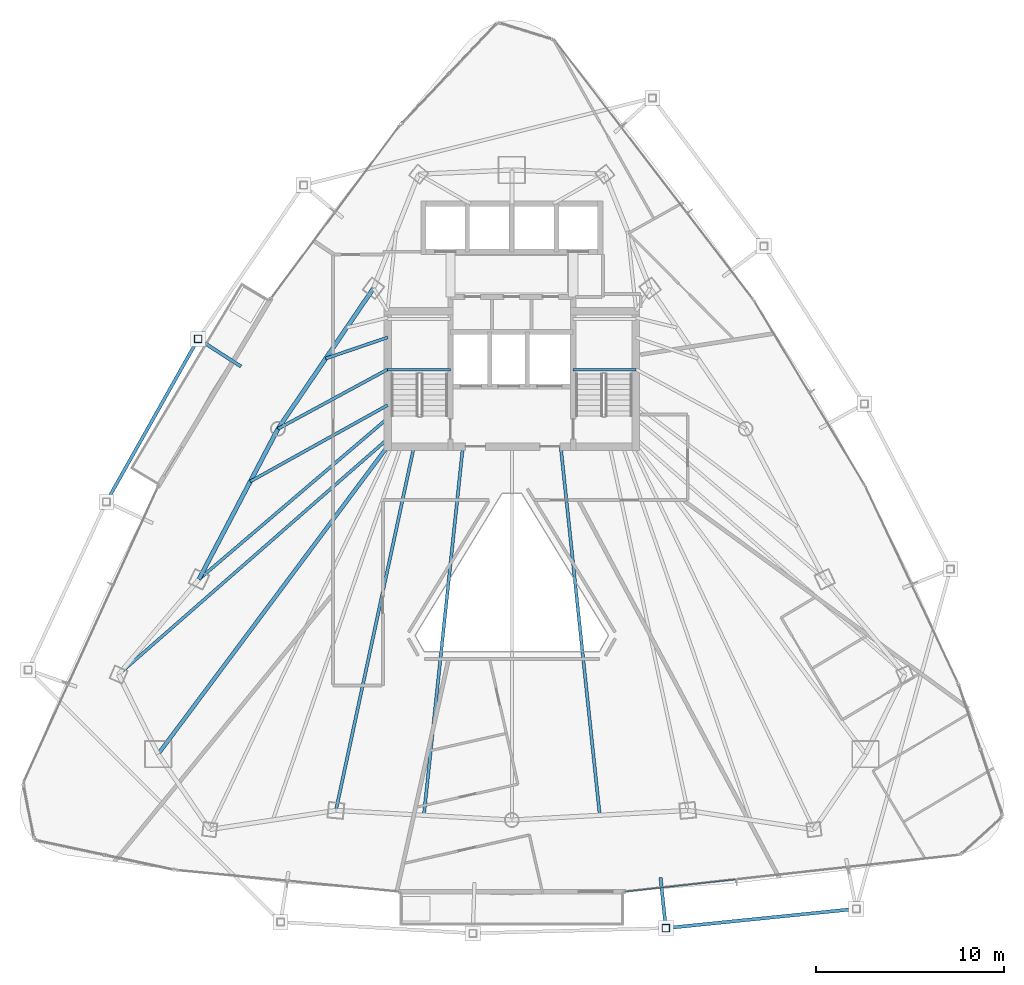
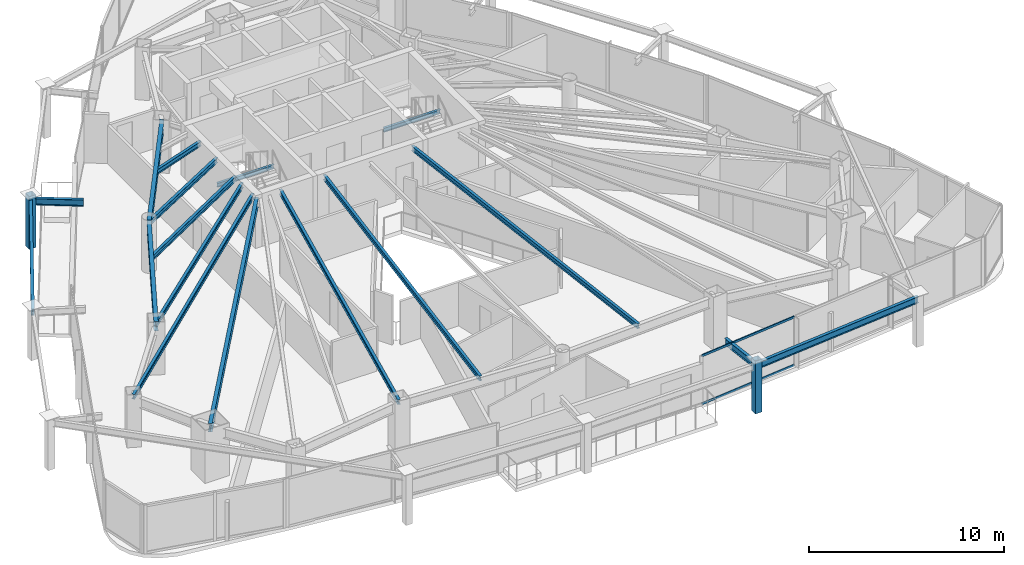
# One storey, part 11 of 33: 17 beams, 4 members, 1 element without a shape of its own.
"""IFC4 building model written with IfcOpenShell, lengths in metres."""

from ifc_helpers import new_model, si_unit, direction, frame, origin, origin_2d, place, context, subcontext, project, spatial, hollow_rectangle, i_section, extrude, material, layer, layer_set, material_profile, profile_set, type_object, element, aggregate, save


model = new_model("IFC4")

# Units and contexts
model_context = context("Model", 3, precision=1e-05, world=origin(), true_north=direction((0.0, 1.0)))
body_context = subcontext(model_context, "Body", "Model", "MODEL_VIEW")
ifc_project = project(units=[si_unit("LENGTHUNIT", "METRE"), si_unit("AREAUNIT", "SQUARE_METRE"), si_unit("VOLUMEUNIT", "CUBIC_METRE"), si_unit("PLANEANGLEUNIT", "RADIAN"), si_unit("MASSUNIT", "GRAM", prefix="KILO")], contexts=[model_context])

# Site, building, storey
site_placement = place(None, origin())
site = spatial("IfcSite", under=ifc_project, at=site_placement, CompositionType="ELEMENT")
building_placement = place(site_placement, origin())
building = spatial("IfcBuilding", under=site, at=building_placement, Name="Orvanel Arch Residences", CompositionType="ELEMENT")
storey_placement = place(building_placement, frame((0.0, 0.0, 123.199951171875)))
storey = spatial("IfcBuildingStorey", under=building, at=storey_placement, Name="L34", CompositionType="ELEMENT", Elevation=123.199951171875)

# Beams
ifc_material_1 = material(Name="Structural steel AS/NZS 3679.1 Grade 300 (300 MPa)", Category="steel")
ifc_material_profile_1 = material_profile(ifc_material_1, i_section(OverallWidth=0.208984375, OverallDepth=0.532958984375, WebThickness=0.01025390625, FlangeThickness=0.015625, at=origin_2d()), Name="530UB92.4")
ifc_profile_set_1 = profile_set([ifc_material_profile_1], Name="Structural steel AS/NZS 3679.1 Grade 300 (300 MPa)")
beam_type_1 = type_object("IfcBeamType", Name="BG-530UB", PredefinedType="BEAM", material=ifc_profile_set_1)
beam_1_placement = place(storey_placement, frame((26.375, 26.675048828125, 2.7939453125), z_axis=(-0.597893733742, -0.801575375839, 0.0), x_axis=(0.801575375839, -0.597893733742, 0.0)))
element("IfcBeam", 1, at=beam_1_placement, inside=storey, type_object=beam_type_1, Name="L34 South-West Radial Girder", PredefinedType="BEAM", context=body_context, shape_type="SweptSolid", body=[
    extrude(i_section(OverallWidth=0.208984375, OverallDepth=0.532958984375, WebThickness=0.01025390625, FlangeThickness=0.015625, at=origin_2d()), origin(), (0.0, 0.0, 1.0), 20.36474609375),
])
ifc_material_profile_2 = material_profile(ifc_material_1, i_section(OverallWidth=0.14599609375, OverallDepth=0.251953125, WebThickness=0.006103515625, FlangeThickness=0.008544921875, at=origin_2d()), Name="250UB31.4")
ifc_profile_set_2 = profile_set([ifc_material_profile_2], Name="Structural steel AS/NZS 3679.1 Grade 300 (300 MPa)")
beam_type_2 = type_object("IfcBeamType", Name="BJ-250UB", PredefinedType="JOIST", material=ifc_profile_set_2)
for number, where, z_axis, x_axis, name in (
    (2, (26.39990234375, 30.780029296875, 1.323974609375), (1.0, 0.0, 0.0), (0.0, 1.0, 0.0), "L34 ST-1 Half-Landing Support Beam 1.1"),
    (3, (36.25, 30.780029296875, 1.323974609375), (1.0, 0.0, 0.0), (0.0, 1.0, 0.0), "L34 ST-2 Half-Landing Support Beam 1.1"),
):
    element("IfcBeam", number, at=place(storey_placement, frame(where, z_axis=z_axis, x_axis=x_axis)), inside=storey, type_object=beam_type_2, Name=name, PredefinedType="JOIST", context=body_context, shape_type="SweptSolid", body=[
        extrude(i_section(OverallWidth=0.14599609375, OverallDepth=0.251953125, WebThickness=0.006103515625, FlangeThickness=0.008544921875, at=origin_2d()), origin(), (0.0, 0.0, 1.0), 3.35009765625),
    ])
ifc_material_profile_3 = material_profile(ifc_material_1, i_section(OverallWidth=0.1650390625, OverallDepth=0.303955078125, WebThickness=0.006103515625, FlangeThickness=0.01025390625, at=origin_2d()), Name="310UB40.4")
ifc_profile_set_3 = profile_set([ifc_material_profile_3], Name="Structural steel AS/NZS 3679.1 Grade 300 (300 MPa)")
beam_type_3 = type_object("IfcBeamType", Name="BJ-310UB", PredefinedType="JOIST", material=ifc_profile_set_3)
beam_2_placement = place(storey_placement, frame((26.39990234375, 30.800048828125, 2.907958984375), z_axis=(-0.87925534649, -0.476350748576, 0.0), x_axis=(0.476350748576, -0.87925534649, 0.0)))
element("IfcBeam", 4, at=beam_2_placement, inside=storey, type_object=beam_type_3, Name="L34 NW Wing Floor Joist", PredefinedType="JOIST", context=body_context, shape_type="SweptSolid", body=[
    extrude(i_section(OverallWidth=0.1650390625, OverallDepth=0.303955078125, WebThickness=0.006103515625, FlangeThickness=0.01025390625, at=origin_2d()), origin(), (0.0, 0.0, 1.0), 6.631591796875),
])
beam_3_placement = place(storey_placement, frame((26.39990234375, 28.199951171875, 2.907958984375), z_axis=(-0.760821315761, -0.648961420644, 0.0), x_axis=(0.648961420644, -0.760821315761, 0.0)))
element("IfcBeam", 5, at=beam_3_placement, inside=storey, type_object=beam_type_3, Name="L34 W Wing Floor Joist", PredefinedType="JOIST", context=body_context, shape_type="SweptSolid", body=[
    extrude(i_section(OverallWidth=0.1650390625, OverallDepth=0.303955078125, WebThickness=0.006103515625, FlangeThickness=0.01025390625, at=origin_2d()), origin(), (0.0, 0.0, 1.0), 13.18701171875),
])
beam_4_placement = place(storey_placement, frame((27.800048828125, 26.699951171875, 2.907958984375), z_axis=(-0.209808012425, -0.977742603103, 0.0), x_axis=(0.977742603103, -0.209808012425, 0.0)))
element("IfcBeam", 6, at=beam_4_placement, inside=storey, type_object=beam_type_3, Name="L34 SW Wing Floor Joist", PredefinedType="JOIST", context=body_context, shape_type="SweptSolid", body=[
    extrude(i_section(OverallWidth=0.1650390625, OverallDepth=0.303955078125, WebThickness=0.006103515625, FlangeThickness=0.01025390625, at=origin_2d()), origin(), (0.0, 0.0, 1.0), 19.785400390625),
])
beam_5_placement = place(storey_placement, frame((26.39990234375, 32.5, 2.907958984375), z_axis=(-0.946441958332, -0.322873999431, 0.0), x_axis=(0.322873999431, -0.946441958332, 0.0)))
element("IfcBeam", 7, at=beam_5_placement, inside=storey, type_object=beam_type_3, Name="L34 WNW Wing Floor Joist", PredefinedType="JOIST", context=body_context, shape_type="SweptSolid", body=[
    extrude(i_section(OverallWidth=0.1650390625, OverallDepth=0.303955078125, WebThickness=0.006103515625, FlangeThickness=0.01025390625, at=origin_2d()), origin(), (0.0, 0.0, 1.0), 3.478271484375),
])
for number, where, z_axis, x_axis, name in (
    (8, (30.39990234375, 26.699951171875, 2.907958984375), (-0.105277340935, -0.994442900063, 0.0), (0.994442900063, -0.105277340935, 0.0), "L34 WSW2 Wing Floor Joist"),
    (9, (35.60009765625, 26.699951171875, 2.907958984375), (0.105277340935, -0.994442900063, 0.0), (0.994442900063, 0.105277340935, 0.0), "L34 ESE2 Wing Floor Joist"),
):
    element("IfcBeam", number, at=place(storey_placement, frame(where, z_axis=z_axis, x_axis=x_axis)), inside=storey, type_object=beam_type_3, Name=name, PredefinedType="JOIST", context=body_context, shape_type="SweptSolid", body=[
        extrude(i_section(OverallWidth=0.1650390625, OverallDepth=0.303955078125, WebThickness=0.006103515625, FlangeThickness=0.01025390625, at=origin_2d()), origin(), (0.0, 0.0, 1.0), 19.70947265625),
    ])
beam_6_placement = place(storey_placement, frame((26.39990234375, 27.10009765625, 2.907958984375), z_axis=(-0.752493154183, -0.658600070534, 0.0), x_axis=(0.658600070534, -0.752493154183, 0.0)))
element("IfcBeam", 10, at=beam_6_placement, inside=storey, type_object=beam_type_3, Name="L34 MW Wing Floor Joist", PredefinedType="JOIST", context=body_context, shape_type="SweptSolid", body=[
    extrude(i_section(OverallWidth=0.1650390625, OverallDepth=0.303955078125, WebThickness=0.006103515625, FlangeThickness=0.01025390625, at=origin_2d()), origin(), (0.0, 0.0, 1.0), 19.010009765625),
])
beam_7_placement = place(storey_placement, frame((26.39990234375, 28.89990234375, 2.907958984375), z_axis=(-0.87404697606, -0.485841418202, 0.0), x_axis=(0.485841418202, -0.87404697606, 0.0)))
element("IfcBeam", 11, at=beam_7_placement, inside=storey, type_object=beam_type_3, Name="L34 CTW Wing Floor Joist", PredefinedType="JOIST", context=body_context, shape_type="SweptSolid", body=[
    extrude(i_section(OverallWidth=0.1650390625, OverallDepth=0.303955078125, WebThickness=0.006103515625, FlangeThickness=0.01025390625, at=origin_2d()), origin(), (0.0, 0.0, 1.0), 8.354248046875),
])
ifc_material_profile_4 = material_profile(ifc_material_1, i_section(OverallWidth=0.177978515625, OverallDepth=0.406005859375, WebThickness=0.0078125, FlangeThickness=0.0126953125, at=origin_2d()), Name="410UB59.7")
ifc_profile_set_4 = profile_set([ifc_material_profile_4], Name="Structural steel AS/NZS 3679.1 Grade 300 (300 MPa)")
beam_type_4 = type_object("IfcBeamType", Name="OB-410UB-EXT", PredefinedType="SPANDREL", material=ifc_profile_set_4)
beam_8_placement = place(storey_placement, frame((18.60400390625, 30.952880859375, 2.85693359375), z_axis=(-0.840372142811, 0.542009835324, 0.0), x_axis=(-0.542009835324, -0.840372142811, 0.0)))
element("IfcBeam", 12, at=beam_8_placement, inside=storey, type_object=beam_type_4, Name="L34 Outer Frame Radial Tie Beam 02", PredefinedType="SPANDREL", context=body_context, shape_type="SweptSolid", body=[
    extrude(i_section(OverallWidth=0.177978515625, OverallDepth=0.406005859375, WebThickness=0.0078125, FlangeThickness=0.0126953125, at=origin_2d()), origin(), (0.0, 0.0, 1.0), 2.70849609375),
])
beam_9_placement = place(storey_placement, frame((16.327880859375, 32.4208984375, 2.85693359375), z_axis=(-0.49060744728, -0.871380704786, 0.0), x_axis=(0.871380704786, -0.49060744728, 0.0)))
element("IfcBeam", 13, at=beam_9_placement, inside=storey, type_object=beam_type_4, Name="L34 Outer Perimeter Floor Ring Beam 02", PredefinedType="SPANDREL", context=body_context, shape_type="SweptSolid", body=[
    extrude(i_section(OverallWidth=0.177978515625, OverallDepth=0.406005859375, WebThickness=0.0078125, FlangeThickness=0.0126953125, at=origin_2d()), origin(), (0.0, 0.0, 1.0), 9.942626953125),
])
beam_10_placement = place(storey_placement, frame((40.904052734375, 3.7919921875, 2.85693359375), z_axis=(0.104501734568, -0.994524704305, 0.0), x_axis=(0.994524704305, 0.104501734568, 0.0)))
element("IfcBeam", 14, at=beam_10_placement, inside=storey, type_object=beam_type_4, Name="L34 Outer Frame Radial Tie Beam 07", PredefinedType="SPANDREL", context=body_context, shape_type="SweptSolid", body=[
    extrude(i_section(OverallWidth=0.177978515625, OverallDepth=0.406005859375, WebThickness=0.0078125, FlangeThickness=0.0126953125, at=origin_2d()), origin(), (0.0, 0.0, 1.0), 2.707763671875),
])
beam_11_placement = place(storey_placement, frame((41.18701171875, 1.09912109375, 2.85693359375), z_axis=(0.994903249647, 0.100834140256, 0.0), x_axis=(-0.100834140256, 0.994903249647, 0.0)))
element("IfcBeam", 15, at=beam_11_placement, inside=storey, type_object=beam_type_4, Name="L34 Outer Perimeter Floor Ring Beam 07", PredefinedType="SPANDREL", context=body_context, shape_type="SweptSolid", body=[
    extrude(i_section(OverallWidth=0.177978515625, OverallDepth=0.406005859375, WebThickness=0.0078125, FlangeThickness=0.0126953125, at=origin_2d()), origin(), (0.0, 0.0, 1.0), 10.173828125),
])
ifc_material_profile_5 = material_profile(ifc_material_1, i_section(OverallWidth=0.22900390625, OverallDepth=0.612060546875, WebThickness=0.011962890625, FlangeThickness=0.01953125, at=origin_2d()), Name="610UB125")
ifc_profile_set_5 = profile_set([ifc_material_profile_5], Name="Structural steel AS/NZS 3679.1 Grade 300 (300 MPa)")
beam_type_5 = type_object("IfcBeamType", Name="SP-610UB", PredefinedType="SPANDREL", material=ifc_profile_set_5)
beam_12_placement = place(storey_placement, frame((25.64794921875, 35.113037109375, 2.754150390625), z_axis=(-0.562154793153, -0.827032035978, 0.0), x_axis=(0.827032035978, -0.562154793153, 0.0)))
element("IfcBeam", 16, at=beam_12_placement, inside=storey, type_object=beam_type_5, Name="L34 Perimeter Spandrel Beam 17", PredefinedType="SPANDREL", context=body_context, shape_type="SweptSolid", body=[
    extrude(i_section(OverallWidth=0.22900390625, OverallDepth=0.612060546875, WebThickness=0.011962890625, FlangeThickness=0.01953125, at=origin_2d()), origin(), (0.0, 0.0, 1.0), 9.03466796875),
])
beam_13_placement = place(storey_placement, frame((20.569091796875, 27.64111328125, 2.754150390625), z_axis=(-0.465064762793, -0.885276660942, 0.0), x_axis=(0.885276660942, -0.465064762793, 0.0)))
element("IfcBeam", 17, at=beam_13_placement, inside=storey, type_object=beam_type_5, Name="L34 Perimeter Spandrel Beam 18", PredefinedType="SPANDREL", context=body_context, shape_type="SweptSolid", body=[
    extrude(i_section(OverallWidth=0.22900390625, OverallDepth=0.612060546875, WebThickness=0.011962890625, FlangeThickness=0.01953125, at=origin_2d()), origin(), (0.0, 0.0, 1.0), 9.03564453125),
])

# Members
ifc_material_2 = material(Name="Structural steel AS/NZS 1163 C450L0 (Grade 450)", Category="steel")
ifc_material_profile_6 = material_profile(ifc_material_2, hollow_rectangle(XDim=0.39990234375, YDim=0.39990234375, WallThickness=0.01611328125, at=origin_2d()), Name="SHS400x400x16")
ifc_profile_set_6 = profile_set([ifc_material_profile_6], Name="Structural steel AS/NZS 1163 C450L0 (Grade 450)")
member_type_1 = type_object("IfcMemberType", Name="ST-400SHS-EXT", PredefinedType="STRUT", material=ifc_profile_set_6)
for number, where, z_axis, x_axis, name in (
    (18, (16.327880859375, 32.4208984375, 0.0), (0.0, 0.0, 1.0), (1.0, 0.0, 0.0), "L34 Outer Perimeter Frame Post 02"),
    (19, (41.18701171875, 1.09912109375, 0.0), (0.0, 0.0, 1.0), (1.0, 0.0, 0.0), "L34 Outer Perimeter Frame Post 07"),
):
    element("IfcMember", number, at=place(storey_placement, frame(where, z_axis=z_axis, x_axis=x_axis)), inside=storey, type_object=member_type_1, Name=name, PredefinedType="STRUT", context=body_context, shape_type="SweptSolid", body=[
        extrude(hollow_rectangle(XDim=0.39990234375, YDim=0.39990234375, WallThickness=0.01611328125, at=origin_2d()), origin(), (0.0, 0.0, 1.0), 3.300048828125),
    ])

# Curtain wall, members
ifc_material_3 = material(Name="Bronze-anodised aluminium AA6063-T6", Category="aluminium")
ifc_layer = layer(ifc_material_3, 0.179931640625)
ifc_layer_set = layer_set([ifc_layer], Name="Bronze-anodised aluminium AA6063-T6")
curtain_wall_type = type_object("IfcCurtainWallType", Name="CW3-MID-SYS", PredefinedType="NOTDEFINED", material=ifc_layer_set)
curtain_wall_placement = place(storey_placement, origin())
curtain_wall = element("IfcCurtainWall", 20, at=curtain_wall_placement, inside=storey, type_object=curtain_wall_type, Name="L34 CW3-MID-SYS Unitised Curtain Wall", PredefinedType="NOTDEFINED")
ifc_material_profile_7 = material_profile(ifc_material_3, hollow_rectangle(XDim=0.06005859375, YDim=0.135009765625, WallThickness=0.00390625, at=origin_2d()), Name="ALU135x60x4")
ifc_profile_set_7 = profile_set([ifc_material_profile_7], Name="Bronze-anodised aluminium AA6063-T6")
member_type_2 = type_object("IfcMemberType", Name="TRN-135x60", PredefinedType="USERDEFINED", material=ifc_profile_set_7)
member_1_placement = place(storey_placement, frame((39.048583984375, 3.042724609375, 0.030029296875), z_axis=(0.993998710271, 0.109391791187, 0.0), x_axis=(-0.109391791187, 0.993998710271, 0.0)))
member_1 = element("IfcMember", 21, at=member_1_placement, type_object=member_type_2, Name="CW-S3 transom 1.1", ObjectType="TRANSOM", PredefinedType="USERDEFINED", context=body_context, shape_type="SweptSolid", body=[
    extrude(hollow_rectangle(XDim=0.06005859375, YDim=0.135009765625, WallThickness=0.00390625, at=origin_2d()), origin(), (0.0, 0.0, 1.0), 5.876220703125),
])
member_2_placement = place(storey_placement, frame((39.048583984375, 3.042724609375, 3.030029296875), z_axis=(0.993998710271, 0.109391791187, 0.0), x_axis=(-0.109391791187, 0.993998710271, 0.0)))
member_2 = element("IfcMember", 22, at=member_2_placement, type_object=member_type_2, Name="CW-S3 transom 1.2", ObjectType="TRANSOM", PredefinedType="USERDEFINED", context=body_context, shape_type="SweptSolid", body=[
    extrude(hollow_rectangle(XDim=0.06005859375, YDim=0.135009765625, WallThickness=0.00390625, at=origin_2d()), origin(), (0.0, 0.0, 1.0), 5.876220703125),
])
aggregate(curtain_wall, [member_1, member_2])

save(model, "model.ifc")
